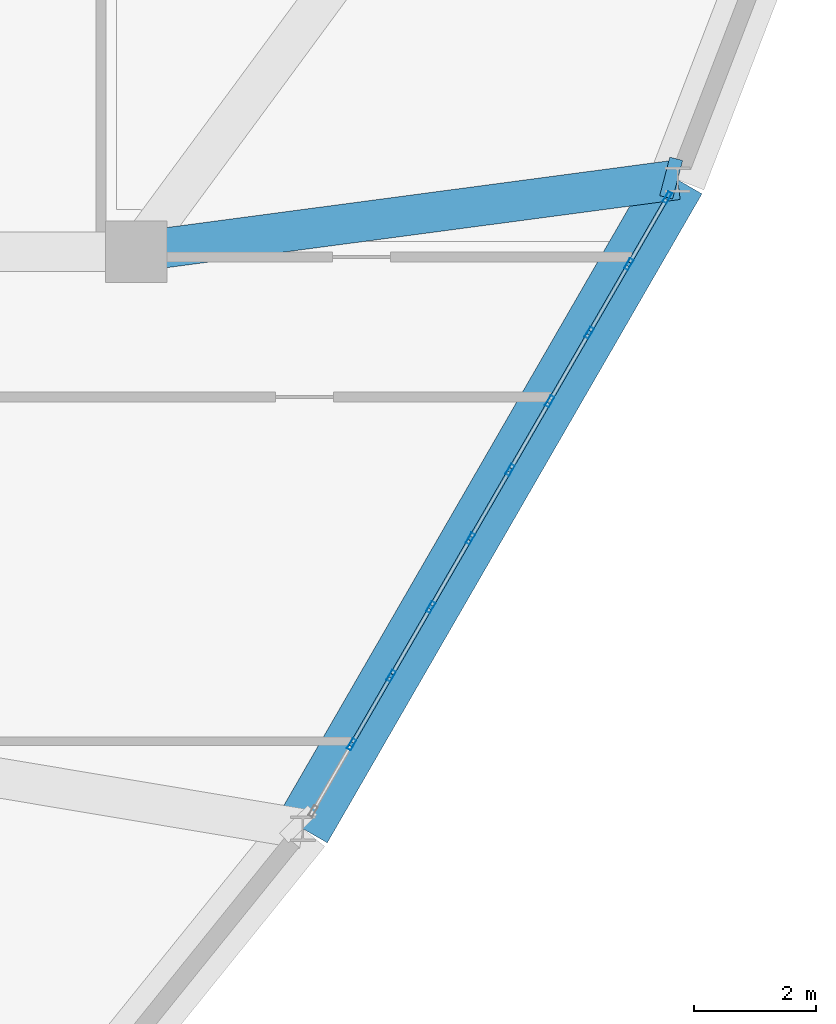
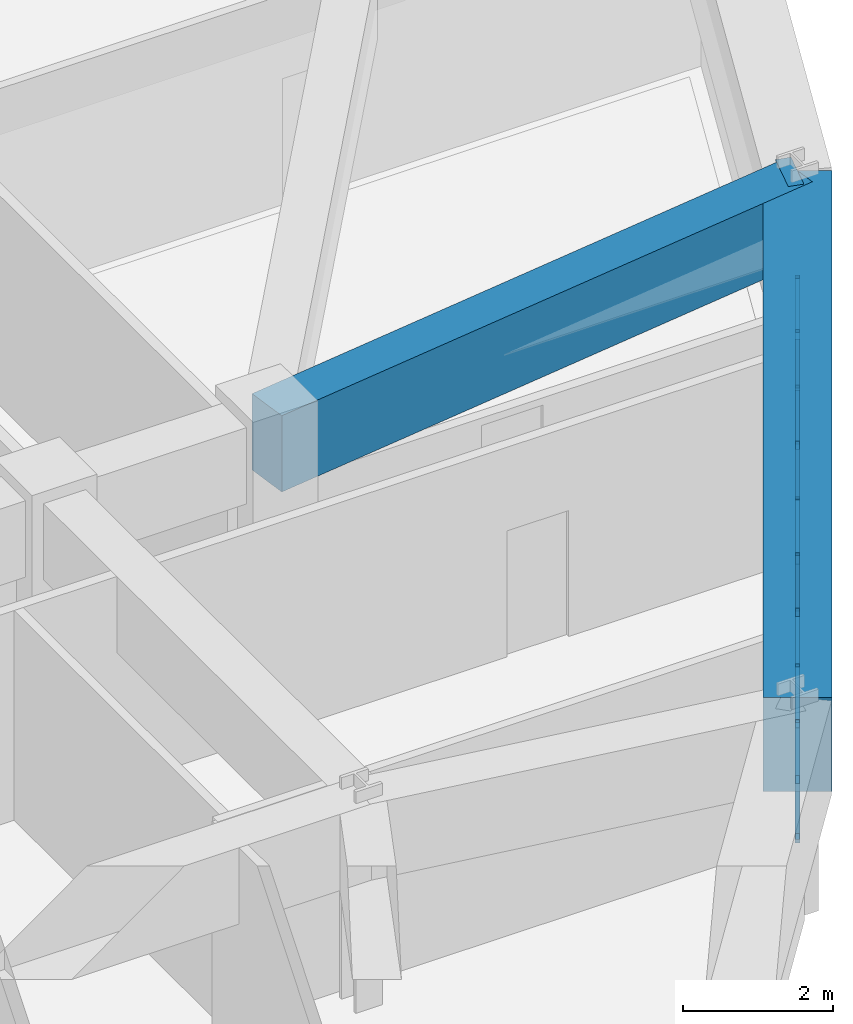
# One storey, part 9 of 19: 28 members, 3 beams, 1 element without a shape of its own.
"""IFC4 building model written with IfcOpenShell, lengths in metres."""

from ifc_helpers import new_model, si_unit, derived_unit, direction, frame, origin, origin_2d, place, context, subcontext, project, spatial, rectangle, hollow_rectangle, extrude, source, transform, mapped, material, layer, layer_set, material_profile, profile_set, type_object, element, aggregate, save


model = new_model("IFC4")

# Units and contexts
model_context = context("Model", 3, precision=1e-05, world=origin(), true_north=direction((0.0, 1.0)))
body_context = subcontext(model_context, "Body", "Model", "MODEL_VIEW")
ifc_project = project(units=[si_unit("LENGTHUNIT", "METRE"), si_unit("AREAUNIT", "SQUARE_METRE"), si_unit("VOLUMEUNIT", "CUBIC_METRE"), si_unit("PLANEANGLEUNIT", "RADIAN"), si_unit("MASSUNIT", "GRAM", prefix="KILO"), derived_unit("THERMALTRANSMITTANCEUNIT", [(si_unit("POWERUNIT", "WATT"), 1), (si_unit("LENGTHUNIT", "METRE"), -2), (si_unit("THERMODYNAMICTEMPERATUREUNIT", "KELVIN"), -1)])], contexts=[model_context])

# Site, building, storey
site_placement = place(None, origin())
site = spatial("IfcSite", under=ifc_project, at=site_placement, CompositionType="ELEMENT")
building_placement = place(site_placement, origin())
building = spatial("IfcBuilding", under=site, at=building_placement, Name="Korsvarv Bourse and Concert Hall", CompositionType="ELEMENT")
storey_placement = place(building_placement, frame((0.0, 0.0, 223.800048828125)))
storey = spatial("IfcBuildingStorey", under=building, at=storey_placement, Name="L58", CompositionType="ELEMENT", Elevation=223.800048828125)

# Beams
ifc_material_1 = material(Name="Concrete C50/60", Category="concrete")
ifc_material_profile_1 = material_profile(ifc_material_1, rectangle(XDim=0.919921875, YDim=1.530029296875, at=origin_2d()), Name="RC-BM 920x1530")
ifc_profile_set_1 = profile_set([ifc_material_profile_1], Name="Concrete C50/60")
beam_type_1 = type_object("IfcBeamType", Name="BM-TR-154", PredefinedType="BEAM", material=ifc_profile_set_1)
shared_shape_1 = source(origin(), body_context, "Body", "SweptSolid", [
    extrude(rectangle(XDim=0.919921875, YDim=1.530029296875, at=origin_2d()), origin(), (0.0, 0.0, 1.0), 12.238037109375),
])
beam_1_placement = place(storey_placement, frame((50.5205078125, 22.975830078125, 2.64501953125), z_axis=(0.499994725302, 0.866028449111, 0.0), x_axis=(-0.866028449111, 0.499994725302, 0.0)))
element("IfcBeam", 1, at=beam_1_placement, inside=storey, type_object=beam_type_1, Name="L58 beam B-TR6", PredefinedType="BEAM", context=body_context, shape_type="MappedRepresentation", body=[
    mapped(shared_shape_1, transform((0.0, 0.0, 0.0), scale=1.0)),
])
ifc_material_profile_2 = material_profile(ifc_material_1, rectangle(XDim=0.64990234375, YDim=1.239990234375, at=origin_2d()), Name="RC-BM 650x1240")
ifc_profile_set_2 = profile_set([ifc_material_profile_2], Name="Concrete C50/60")
beam_type_2 = type_object("IfcBeamType", Name="BM-TR-SPN", PredefinedType="BEAM", material=ifc_profile_set_2)
shared_shape_2 = source(origin(), body_context, "Body", "SweptSolid", [
    extrude(rectangle(XDim=0.64990234375, YDim=1.239990234375, at=origin_2d()), origin(), (0.0, 0.0, 1.0), 8.9169921875),
])
beam_2_placement = place(storey_placement, frame((56.639404296875, 33.57421875, 2.7900390625), z_axis=(-0.99129043861, -0.131693835544, 0.0), x_axis=(0.131693835544, -0.99129043861, 0.0)))
element("IfcBeam", 2, at=beam_2_placement, inside=storey, type_object=beam_type_2, Name="L58 beam B-TRS", PredefinedType="BEAM", context=body_context, shape_type="MappedRepresentation", body=[
    mapped(shared_shape_2, transform((0.0, 0.0, 0.0), scale=1.0)),
])
shared_shape_3 = source(origin(), body_context, "Body", "SweptSolid", [
    extrude(rectangle(XDim=0.64990234375, YDim=1.239990234375, at=origin_2d()), origin(), (0.0, 0.0, 1.0), 0.21630859375),
])
beam_3_placement = place(storey_placement, frame((56.639404296875, 33.57421875, 2.7900390625), z_axis=(-0.967220570977, 0.253937722835, 0.0), x_axis=(-0.253937722835, -0.967220570977, 0.0)))
element("IfcBeam", 3, at=beam_3_placement, inside=storey, type_object=beam_type_2, Name="L58 beam B-TRS", PredefinedType="BEAM", context=body_context, shape_type="MappedRepresentation", body=[
    mapped(shared_shape_3, transform((0.0, 0.0, 0.0), scale=1.0)),
])

# Curtain wall, members
ifc_material_2 = material(Name="Anodised aluminium and triple low-E glazing", Category="glass")
ifc_layer = layer(ifc_material_2, 0.199951171875)
ifc_layer_set = layer_set([ifc_layer], Name="Anodised aluminium and triple low-E glazing")
curtain_wall_type = type_object("IfcCurtainWallType", Name="CW-SYS-3", PredefinedType="NOTDEFINED", material=ifc_layer_set)
curtain_wall_placement = place(storey_placement, origin())
curtain_wall = element("IfcCurtainWall", 4, at=curtain_wall_placement, inside=storey, type_object=curtain_wall_type, Name="L58 CW3 curtain wall CW-L58-F11", PredefinedType="NOTDEFINED")
ifc_material_3 = material(Name="Extruded aluminium EN AW-6063 T66", Category="aluminium")
ifc_material_profile_3 = material_profile(ifc_material_3, hollow_rectangle(XDim=0.070068359375, YDim=0.18994140625, WallThickness=0.0048828125, at=origin_2d()), Name="ALU-M 70x190")
ifc_profile_set_3 = profile_set([ifc_material_profile_3], Name="Extruded aluminium EN AW-6063 T66")
member_type_1 = type_object("IfcMemberType", Name="CWM-190", PredefinedType="MULLION", material=ifc_profile_set_3)
shared_shape_4 = source(origin(), body_context, "Body", "SweptSolid", [
    extrude(hollow_rectangle(XDim=0.070068359375, YDim=0.18994140625, WallThickness=0.0048828125, at=origin_2d()), origin(), (0.0, 0.0, 1.0), 1.8798828125),
])
member_1_placement = place(storey_placement, frame((51.31640625, 24.354248046875, 0.0), z_axis=(0.0, 0.0, 1.0), x_axis=(-0.866029815681, 0.499992358293, 0.0)))
member_1 = element("IfcMember", 5, at=member_1_placement, type_object=member_type_1, Name="CW3 mullion 2", PredefinedType="MULLION", context=body_context, shape_type="MappedRepresentation", body=[
    mapped(shared_shape_4, transform((0.0, 0.0, 0.0), scale=1.0)),
])
member_2_placement = place(storey_placement, frame((51.963134765625, 25.474365234375, 0.0), z_axis=(0.0, 0.0, 1.0), x_axis=(-0.866029815681, 0.499992358293, 0.0)))
member_2 = element("IfcMember", 6, at=member_2_placement, type_object=member_type_1, Name="CW3 mullion 3", PredefinedType="MULLION", context=body_context, shape_type="MappedRepresentation", body=[
    mapped(shared_shape_4, transform((0.0, 0.0, 0.0), scale=1.0)),
])
member_3_placement = place(storey_placement, frame((52.60986328125, 26.5947265625, 0.0), z_axis=(0.0, 0.0, 1.0), x_axis=(-0.866029815681, 0.499992358293, 0.0)))
member_3 = element("IfcMember", 7, at=member_3_placement, type_object=member_type_1, Name="CW3 mullion 4", PredefinedType="MULLION", context=body_context, shape_type="MappedRepresentation", body=[
    mapped(shared_shape_4, transform((0.0, 0.0, 0.0), scale=1.0)),
])
member_4_placement = place(storey_placement, frame((53.256591796875, 27.71484375, 0.0), z_axis=(0.0, 0.0, 1.0), x_axis=(-0.866029815681, 0.499992358293, 0.0)))
member_4 = element("IfcMember", 8, at=member_4_placement, type_object=member_type_1, Name="CW3 mullion 5", PredefinedType="MULLION", context=body_context, shape_type="MappedRepresentation", body=[
    mapped(shared_shape_4, transform((0.0, 0.0, 0.0), scale=1.0)),
])
member_5_placement = place(storey_placement, frame((53.9033203125, 28.835205078125, 0.0), z_axis=(0.0, 0.0, 1.0), x_axis=(-0.866029815681, 0.499992358293, 0.0)))
member_5 = element("IfcMember", 9, at=member_5_placement, type_object=member_type_1, Name="CW3 mullion 6", PredefinedType="MULLION", context=body_context, shape_type="MappedRepresentation", body=[
    mapped(shared_shape_4, transform((0.0, 0.0, 0.0), scale=1.0)),
])
member_6_placement = place(storey_placement, frame((54.55029296875, 29.955322265625, 0.0), z_axis=(0.0, 0.0, 1.0), x_axis=(-0.866029815681, 0.499992358293, 0.0)))
member_6 = element("IfcMember", 10, at=member_6_placement, type_object=member_type_1, Name="CW3 mullion 7", PredefinedType="MULLION", context=body_context, shape_type="MappedRepresentation", body=[
    mapped(shared_shape_4, transform((0.0, 0.0, 0.0), scale=1.0)),
])
member_7_placement = place(storey_placement, frame((55.197021484375, 31.07568359375, 0.0), z_axis=(0.0, 0.0, 1.0), x_axis=(-0.866029815681, 0.499992358293, 0.0)))
member_7 = element("IfcMember", 11, at=member_7_placement, type_object=member_type_1, Name="CW3 mullion 8", PredefinedType="MULLION", context=body_context, shape_type="MappedRepresentation", body=[
    mapped(shared_shape_4, transform((0.0, 0.0, 0.0), scale=1.0)),
])
member_8_placement = place(storey_placement, frame((55.84375, 32.196044921875, 0.0), z_axis=(0.0, 0.0, 1.0), x_axis=(-0.866029815681, 0.499992358293, 0.0)))
member_8 = element("IfcMember", 12, at=member_8_placement, type_object=member_type_1, Name="CW3 mullion 9", PredefinedType="MULLION", context=body_context, shape_type="MappedRepresentation", body=[
    mapped(shared_shape_4, transform((0.0, 0.0, 0.0), scale=1.0)),
])
member_9_placement = place(storey_placement, frame((56.472900390625, 33.285888671875, 0.0), z_axis=(0.0, 0.0, 1.0), x_axis=(-0.866029815681, 0.499992358293, 0.0)))
member_9 = element("IfcMember", 13, at=member_9_placement, type_object=member_type_1, Name="CW3 mullion 10", PredefinedType="MULLION", context=body_context, shape_type="MappedRepresentation", body=[
    mapped(shared_shape_4, transform((0.0, 0.0, 0.0), scale=1.0)),
])
ifc_material_profile_4 = material_profile(ifc_material_3, hollow_rectangle(XDim=0.06494140625, YDim=0.139892578125, WallThickness=0.00390625, at=origin_2d()), Name="ALU-T 65x140")
ifc_profile_set_4 = profile_set([ifc_material_profile_4], Name="Extruded aluminium EN AW-6063 T66")
member_type_2 = type_object("IfcMemberType", Name="CWT-140", PredefinedType="USERDEFINED", material=ifc_profile_set_4)
shared_shape_5 = source(origin(), body_context, "Body", "SweptSolid", [
    extrude(hollow_rectangle(XDim=0.06494140625, YDim=0.139892578125, WallThickness=0.00390625, at=origin_2d()), origin(), (0.0, 0.0, 1.0), 1.1884765625),
])
member_10_placement = place(storey_placement, frame((55.861328125, 32.226318359375, 0.032470703125), z_axis=(0.499983247966, 0.86603507536, 0.0), x_axis=(-0.86603507536, 0.499983247966, 0.0)))
member_10 = element("IfcMember", 14, at=member_10_placement, type_object=member_type_2, Name="CW3 transom 9.1", ObjectType="TRANSOM", PredefinedType="USERDEFINED", context=body_context, shape_type="MappedRepresentation", body=[
    mapped(shared_shape_5, transform((0.0, 0.0, 0.0), scale=1.0)),
])
member_11_placement = place(storey_placement, frame((55.861328125, 32.226318359375, 1.847412109375), z_axis=(0.499983247966, 0.86603507536, 0.0), x_axis=(-0.86603507536, 0.499983247966, 0.0)))
member_11 = element("IfcMember", 15, at=member_11_placement, type_object=member_type_2, Name="CW3 transom 9.2", ObjectType="TRANSOM", PredefinedType="USERDEFINED", context=body_context, shape_type="MappedRepresentation", body=[
    mapped(shared_shape_5, transform((0.0, 0.0, 0.0), scale=1.0)),
])
shared_shape_6 = source(origin(), body_context, "Body", "SweptSolid", [
    extrude(hollow_rectangle(XDim=0.06494140625, YDim=0.139892578125, WallThickness=0.00390625, at=origin_2d()), origin(), (0.0, 0.0, 1.0), 1.223388671875),
])
member_12_placement = place(storey_placement, frame((51.333984375, 24.384521484375, 0.032470703125), z_axis=(0.499895202697, 0.866085900082, 0.0), x_axis=(-0.866085900082, 0.499895202697, 0.0)))
member_12 = element("IfcMember", 16, at=member_12_placement, type_object=member_type_2, Name="CW3 transom 2.1", ObjectType="TRANSOM", PredefinedType="USERDEFINED", context=body_context, shape_type="MappedRepresentation", body=[
    mapped(shared_shape_6, transform((0.0, 0.0, 0.0), scale=1.0)),
])
member_13_placement = place(storey_placement, frame((51.333984375, 24.384521484375, 1.847412109375), z_axis=(0.499895202697, 0.866085900082, 0.0), x_axis=(-0.866085900082, 0.499895202697, 0.0)))
member_13 = element("IfcMember", 17, at=member_13_placement, type_object=member_type_2, Name="CW3 transom 2.2", ObjectType="TRANSOM", PredefinedType="USERDEFINED", context=body_context, shape_type="MappedRepresentation", body=[
    mapped(shared_shape_6, transform((0.0, 0.0, 0.0), scale=1.0)),
])
ifc_material_profile_5 = material_profile(ifc_material_3, hollow_rectangle(XDim=0.06494140625, YDim=0.1650390625, WallThickness=0.0048828125, at=origin_2d()), Name="ALU-M 65x165")
ifc_profile_set_5 = profile_set([ifc_material_profile_5], Name="Extruded aluminium EN AW-6063 T66")
member_type_3 = type_object("IfcMemberType", Name="CWM-165", PredefinedType="MULLION", material=ifc_profile_set_5)
shared_shape_7 = source(origin(), body_context, "Body", "SweptSolid", [
    extrude(hollow_rectangle(XDim=0.06494140625, YDim=0.1650390625, WallThickness=0.0048828125, at=origin_2d()), origin(), (0.0, 0.0, 1.0), 2.13525390625),
])
member_14_placement = place(storey_placement, frame((51.333984375, 24.384521484375, 0.06494140625), z_axis=(0.286419768598, 0.496232253778, 0.819583593337), x_axis=(-0.866085900082, 0.499895202697, 0.0)))
member_14 = element("IfcMember", 18, at=member_14_placement, type_object=member_type_3, Name="CW3 diagonal mullion 2", PredefinedType="MULLION", context=body_context, shape_type="MappedRepresentation", body=[
    mapped(shared_shape_7, transform((0.0, 0.0, 0.0), scale=1.0)),
])
member_15_placement = place(storey_placement, frame((55.21435546875, 31.10595703125, 0.06494140625), z_axis=(0.286524722705, 0.496216000215, 0.819556748742), x_axis=(-0.865999496279, 0.500044870432, 0.0)))
member_15 = element("IfcMember", 19, at=member_15_placement, type_object=member_type_3, Name="CW3 diagonal mullion 8", PredefinedType="MULLION", context=body_context, shape_type="MappedRepresentation", body=[
    mapped(shared_shape_7, transform((0.0, 0.0, 0.0), scale=1.0)),
])
shared_shape_8 = source(origin(), body_context, "Body", "SweptSolid", [
    extrude(hollow_rectangle(XDim=0.06494140625, YDim=0.139892578125, WallThickness=0.00390625, at=origin_2d()), origin(), (0.0, 0.0, 1.0), 1.2236328125),
])
member_16_placement = place(storey_placement, frame((51.980712890625, 25.504638671875, 0.032470703125), z_axis=(0.499808815652, 0.866135755986, 0.0), x_axis=(-0.866135755986, 0.499808815652, 0.0)))
member_16 = element("IfcMember", 20, at=member_16_placement, type_object=member_type_2, Name="CW3 transom 3.1", ObjectType="TRANSOM", PredefinedType="USERDEFINED", context=body_context, shape_type="MappedRepresentation", body=[
    mapped(shared_shape_8, transform((0.0, 0.0, 0.0), scale=1.0)),
])
member_17_placement = place(storey_placement, frame((51.980712890625, 25.504638671875, 1.847412109375), z_axis=(0.499808815652, 0.866135755986, 0.0), x_axis=(-0.866135755986, 0.499808815652, 0.0)))
member_17 = element("IfcMember", 21, at=member_17_placement, type_object=member_type_2, Name="CW3 transom 3.2", ObjectType="TRANSOM", PredefinedType="USERDEFINED", context=body_context, shape_type="MappedRepresentation", body=[
    mapped(shared_shape_8, transform((0.0, 0.0, 0.0), scale=1.0)),
])
member_18_placement = place(storey_placement, frame((52.62744140625, 26.625, 0.032470703125), z_axis=(0.500044870432, 0.865999496279, 0.0), x_axis=(-0.865999496279, 0.500044870432, 0.0)))
member_18 = element("IfcMember", 22, at=member_18_placement, type_object=member_type_2, Name="CW3 transom 4.1", ObjectType="TRANSOM", PredefinedType="USERDEFINED", context=body_context, shape_type="MappedRepresentation", body=[
    mapped(shared_shape_8, transform((0.0, 0.0, 0.0), scale=1.0)),
])
member_19_placement = place(storey_placement, frame((52.62744140625, 26.625, 1.847412109375), z_axis=(0.500044870432, 0.865999496279, 0.0), x_axis=(-0.865999496279, 0.500044870432, 0.0)))
member_19 = element("IfcMember", 23, at=member_19_placement, type_object=member_type_2, Name="CW3 transom 4.2", ObjectType="TRANSOM", PredefinedType="USERDEFINED", context=body_context, shape_type="MappedRepresentation", body=[
    mapped(shared_shape_8, transform((0.0, 0.0, 0.0), scale=1.0)),
])
member_20_placement = place(storey_placement, frame((53.274169921875, 27.7451171875, 0.032470703125), z_axis=(0.499958474759, 0.866049377066, 0.0), x_axis=(-0.866049377066, 0.499958474759, 0.0)))
member_20 = element("IfcMember", 24, at=member_20_placement, type_object=member_type_2, Name="CW3 transom 5.1", ObjectType="TRANSOM", PredefinedType="USERDEFINED", context=body_context, shape_type="MappedRepresentation", body=[
    mapped(shared_shape_8, transform((0.0, 0.0, 0.0), scale=1.0)),
])
member_21_placement = place(storey_placement, frame((53.274169921875, 27.7451171875, 1.847412109375), z_axis=(0.499958474759, 0.866049377066, 0.0), x_axis=(-0.866049377066, 0.499958474759, 0.0)))
member_21 = element("IfcMember", 25, at=member_21_placement, type_object=member_type_2, Name="CW3 transom 5.2", ObjectType="TRANSOM", PredefinedType="USERDEFINED", context=body_context, shape_type="MappedRepresentation", body=[
    mapped(shared_shape_8, transform((0.0, 0.0, 0.0), scale=1.0)),
])
member_22_placement = place(storey_placement, frame((53.9208984375, 28.865478515625, 0.032470703125), z_axis=(0.500044870432, 0.865999496279, 0.0), x_axis=(-0.865999496279, 0.500044870432, 0.0)))
member_22 = element("IfcMember", 26, at=member_22_placement, type_object=member_type_2, Name="CW3 transom 6.1", ObjectType="TRANSOM", PredefinedType="USERDEFINED", context=body_context, shape_type="MappedRepresentation", body=[
    mapped(shared_shape_8, transform((0.0, 0.0, 0.0), scale=1.0)),
])
member_23_placement = place(storey_placement, frame((53.9208984375, 28.865478515625, 1.847412109375), z_axis=(0.500044870432, 0.865999496279, 0.0), x_axis=(-0.865999496279, 0.500044870432, 0.0)))
member_23 = element("IfcMember", 27, at=member_23_placement, type_object=member_type_2, Name="CW3 transom 6.2", ObjectType="TRANSOM", PredefinedType="USERDEFINED", context=body_context, shape_type="MappedRepresentation", body=[
    mapped(shared_shape_8, transform((0.0, 0.0, 0.0), scale=1.0)),
])
member_24_placement = place(storey_placement, frame((54.567626953125, 29.98583984375, 0.032470703125), z_axis=(0.500044870432, 0.865999496279, 0.0), x_axis=(-0.865999496279, 0.500044870432, 0.0)))
member_24 = element("IfcMember", 28, at=member_24_placement, type_object=member_type_2, Name="CW3 transom 7.1", ObjectType="TRANSOM", PredefinedType="USERDEFINED", context=body_context, shape_type="MappedRepresentation", body=[
    mapped(shared_shape_8, transform((0.0, 0.0, 0.0), scale=1.0)),
])
member_25_placement = place(storey_placement, frame((54.567626953125, 29.98583984375, 1.847412109375), z_axis=(0.500044870432, 0.865999496279, 0.0), x_axis=(-0.865999496279, 0.500044870432, 0.0)))
member_25 = element("IfcMember", 29, at=member_25_placement, type_object=member_type_2, Name="CW3 transom 7.2", ObjectType="TRANSOM", PredefinedType="USERDEFINED", context=body_context, shape_type="MappedRepresentation", body=[
    mapped(shared_shape_8, transform((0.0, 0.0, 0.0), scale=1.0)),
])
member_26_placement = place(storey_placement, frame((55.21435546875, 31.10595703125, 0.032470703125), z_axis=(0.500044870432, 0.865999496279, 0.0), x_axis=(-0.865999496279, 0.500044870432, 0.0)))
member_26 = element("IfcMember", 30, at=member_26_placement, type_object=member_type_2, Name="CW3 transom 8.1", ObjectType="TRANSOM", PredefinedType="USERDEFINED", context=body_context, shape_type="MappedRepresentation", body=[
    mapped(shared_shape_8, transform((0.0, 0.0, 0.0), scale=1.0)),
])
member_27_placement = place(storey_placement, frame((55.21435546875, 31.10595703125, 1.847412109375), z_axis=(0.500044870432, 0.865999496279, 0.0), x_axis=(-0.865999496279, 0.500044870432, 0.0)))
member_27 = element("IfcMember", 31, at=member_27_placement, type_object=member_type_2, Name="CW3 transom 8.2", ObjectType="TRANSOM", PredefinedType="USERDEFINED", context=body_context, shape_type="MappedRepresentation", body=[
    mapped(shared_shape_8, transform((0.0, 0.0, 0.0), scale=1.0)),
])
shared_shape_9 = source(origin(), body_context, "Body", "SweptSolid", [
    extrude(hollow_rectangle(XDim=0.06494140625, YDim=0.1650390625, WallThickness=0.0048828125, at=origin_2d()), origin(), (0.0, 0.0, 1.0), 2.135498046875),
])
member_28_placement = place(storey_placement, frame((53.885986328125, 28.804931640625, 0.06494140625), z_axis=(-0.286508466208, -0.496302175502, 0.819510249712), x_axis=(0.866049377066, -0.499958474759, 0.0)))
member_28 = element("IfcMember", 32, at=member_28_placement, type_object=member_type_3, Name="CW3 diagonal mullion 5", PredefinedType="MULLION", context=body_context, shape_type="MappedRepresentation", body=[
    mapped(shared_shape_9, transform((0.0, 0.0, 0.0), scale=1.0)),
])
aggregate(curtain_wall, [member_1, member_2, member_3, member_4, member_5, member_6, member_7, member_8, member_9, member_12, member_13, member_14, member_16, member_17, member_18, member_19, member_20, member_21, member_28, member_22, member_23, member_24, member_25, member_26, member_27, member_15, member_10, member_11])

save(model, "model.ifc")
